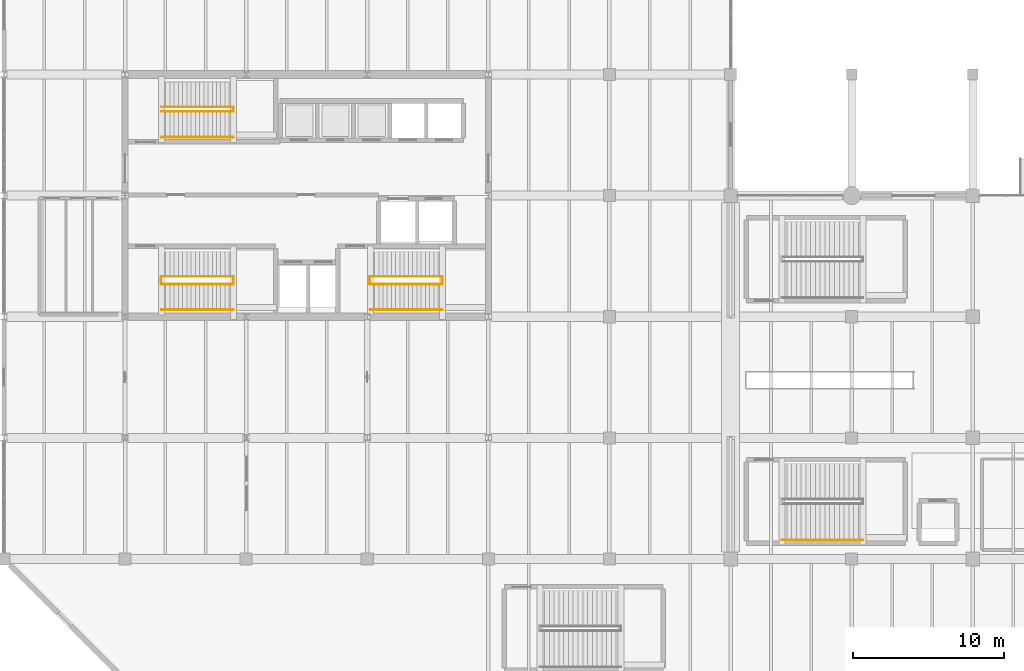
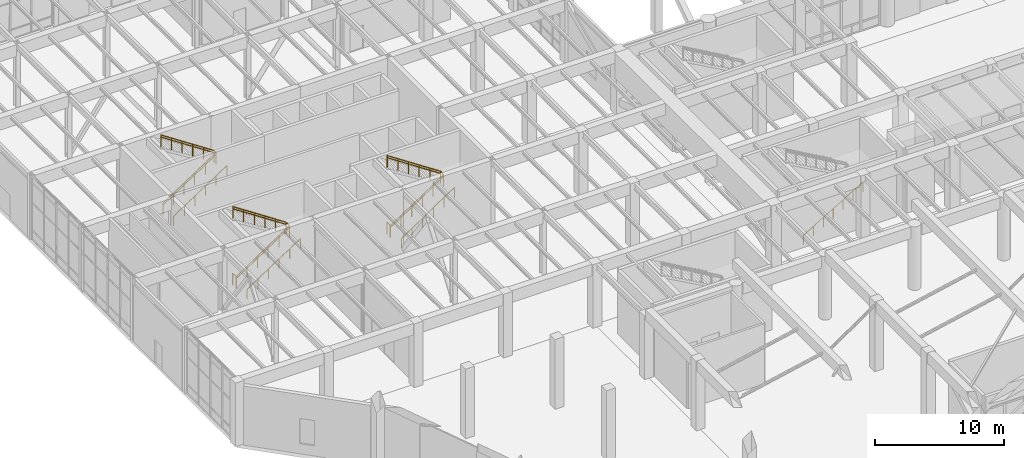
# One storey, part 44 of 51: 18 railings.
"""IFC4 building model written with IfcOpenShell, lengths in metres."""

import ifcopenshell
import ifcopenshell.guid

model = None  # the IFC model being written
_history = None  # IfcOwnerHistory: only IFC2X3 demands one
_inside = {}  # id of a spatial element -> (the spatial element, [elements in it])
_under = {}  # id of a project, library or spatial element -> (it, [spatial elements below it])
_declared = {}  # id of a project -> (the project, [libraries it declares])
_typed = {}  # id of a type object -> (the type object, [elements of that type])
_made_of = {}  # id of a material, layer set ... -> (it, [elements and type objects made of it])


def new_model(schema):
    """Start an empty IFC model of exactly this schema.

    Asked for "IFC4X3", IfcOpenShell would pick the latest addendum, in which some entities
    have other attributes; the version numbers below select the first issue.
    IFC2X3 requires an IfcOwnerHistory on every rooted entity: one is made here for all.
    """
    global model, _history
    if schema == "IFC4X3":
        model = ifcopenshell.file(schema_version=(4, 3, 0, 0))
    else:
        model = ifcopenshell.file(schema=schema)
    _inside.clear()
    _under.clear()
    _declared.clear()
    _typed.clear()
    _made_of.clear()
    _history = None
    if model.schema == "IFC2X3":
        org = make("IfcOrganization", Name="unknown")
        user = make(
            "IfcPersonAndOrganization",
            ThePerson=make("IfcPerson", FamilyName="unknown"),
            TheOrganization=org,
        )
        app = make(
            "IfcApplication",
            ApplicationDeveloper=org,
            Version="unknown",
            ApplicationFullName="unknown",
            ApplicationIdentifier="unknown",
        )
        _history = make(
            "IfcOwnerHistory",
            OwningUser=user,
            OwningApplication=app,
            ChangeAction="ADDED",
            CreationDate=0,
        )
    return model


def make(cls, **values):
    """One entity of the class cls with the attributes given. An attribute that is None is left unset."""
    return model.create_entity(
        cls, **{name: value for name, value in values.items() if value is not None}
    )


def rooted(cls, **values):
    """An entity with a GlobalId (a new one), such as an element, a storey or a relation."""
    return make(cls, GlobalId=ifcopenshell.guid.new(), OwnerHistory=_history, **values)


def si_unit(unit_type, name, prefix=None):
    """IfcSIUnit, for example si_unit("LENGTHUNIT", "METRE", prefix="MILLI")."""
    return make("IfcSIUnit", UnitType=unit_type, Prefix=prefix, Name=name)


def assignment(units):
    """IfcUnitAssignment: the units of a project."""
    return None if units is None else make("IfcUnitAssignment", Units=units)


def point(xyz):
    """IfcCartesianPoint."""
    return None if xyz is None else make("IfcCartesianPoint", Coordinates=xyz)


def direction(xyz):
    """IfcDirection."""
    return None if xyz is None else make("IfcDirection", DirectionRatios=xyz)


def frame(location, z_axis=None, x_axis=None):
    """IfcAxis2Placement3D, a coordinate frame: its origin and axes. An axis left out is left unset."""
    return make(
        "IfcAxis2Placement3D",
        Location=point(location),
        Axis=direction(z_axis),
        RefDirection=direction(x_axis),
    )


def frame_2d(location, x_axis=None):
    """IfcAxis2Placement2D, a coordinate frame in the plane: its origin and x axis."""
    return make(
        "IfcAxis2Placement2D", Location=point(location), RefDirection=direction(x_axis)
    )


def origin():
    """The frame at (0, 0, 0) with its axes left unset."""
    return frame((0.0, 0.0, 0.0))


def origin_2d():
    """The frame at (0, 0) in the plane with its x axis left unset."""
    return frame_2d((0.0, 0.0))


def place(relative_to, where):
    """IfcLocalPlacement: puts the frame where relative to a parent placement (None: the world)."""
    return make(
        "IfcLocalPlacement", PlacementRelTo=relative_to, RelativePlacement=where
    )


def context(
    kind, dimensions, precision=None, world=None, true_north=None, identifier=None
):
    """IfcGeometricRepresentationContext, for example the 3D "Model" context."""
    return make(
        "IfcGeometricRepresentationContext",
        ContextIdentifier=identifier,
        ContextType=kind,
        CoordinateSpaceDimension=dimensions,
        Precision=precision,
        WorldCoordinateSystem=world,
        TrueNorth=true_north,
    )


def subcontext(parent, identifier, kind, view, scale=None):
    """IfcGeometricRepresentationSubContext, for example "Body" below "Model"."""
    return make(
        "IfcGeometricRepresentationSubContext",
        ContextIdentifier=identifier,
        ContextType=kind,
        ParentContext=parent,
        TargetScale=scale,
        TargetView=view,
    )


def project(units=None, contexts=None):
    """IfcProject with its units and contexts."""
    return rooted(
        "IfcProject",
        Name="project",
        RepresentationContexts=contexts,
        UnitsInContext=assignment(units),
    )


def spatial(cls, under=None, at=None, **own):
    """A site, building, storey or space (cls), placed at a placement, below another one or the project."""
    s = rooted(cls, ObjectPlacement=at, **own)
    if under is not None:
        _under.setdefault(under.id(), (under, []))[1].append(s)
    return s


def profile(cls, at=None, kind="AREA", **sizes):
    """A parametric profile (cls). Its sizes go by their IFC names, for example OverallWidth=200.0."""
    return make(cls, ProfileType=kind, Position=at, **sizes)


def circle(**sizes):
    """IfcCircleProfileDef."""
    return profile("IfcCircleProfileDef", **sizes)


def extrude(swept, where, along, depth):
    """IfcExtrudedAreaSolid: the profile swept, set in the frame where, extruded along a direction by depth."""
    return make(
        "IfcExtrudedAreaSolid",
        SweptArea=swept,
        Position=where,
        ExtrudedDirection=direction(along),
        Depth=depth,
    )


def shape(context_of_items, identifier, shape_type, items):
    """IfcShapeRepresentation: the items that make up one representation, for example the "Body"."""
    return make(
        "IfcShapeRepresentation",
        ContextOfItems=context_of_items,
        RepresentationIdentifier=identifier,
        RepresentationType=shape_type,
        Items=items,
    )


def material(Name=None, Category=None):
    """IfcMaterial."""
    return make("IfcMaterial", Name=Name, Category=Category)


def made_of(thing, what):
    """Note that an element or type object is made of a material, layer set ...; save() writes the relation."""
    if what is not None:
        _made_of.setdefault(what.id(), (what, []))[1].append(thing)
    return thing


def type_object(cls, material=None, **own):
    """A type object (cls), such as IfcWallType, which elements share."""
    return made_of(rooted(cls, **own), material)


def element(
    cls,
    number,
    at=None,
    inside=None,
    cuts=None,
    type_object=None,
    material=None,
    context=None,
    identifier="Body",
    shape_type=None,
    held_by="IfcProductDefinitionShape",
    body=None,
    shapes=None,
    **own,
):
    """One element of the class cls, such as IfcWall. Its Tag is "e" and its number.

    at: its placement. inside: the storey or other place that contains it. cuts: it is an
    opening in that element (IfcRelVoidsElement). A single representation is given by context,
    identifier, shape_type and body (its items); several are given by shapes. held_by: the class
    of the entity that holds the representations. save() writes the other relations.
    """
    e = rooted(cls, Tag="e%d" % number, ObjectPlacement=at, **own)
    if body is not None:
        shapes = [shape(context, identifier, shape_type, body)]
    if shapes is not None:
        e.Representation = make(held_by, Representations=shapes)
    if inside is not None:
        _inside.setdefault(inside.id(), (inside, []))[1].append(e)
    if cuts is not None:
        rooted(
            "IfcRelVoidsElement", RelatingBuildingElement=cuts, RelatedOpeningElement=e
        )
    if type_object is not None:
        _typed.setdefault(type_object.id(), (type_object, []))[1].append(e)
    return made_of(e, material)


def aggregate(whole, parts):
    """IfcRelAggregates: a whole, such as a stair, and the parts it consists of."""
    return rooted("IfcRelAggregates", RelatingObject=whole, RelatedObjects=parts)


def save(model, path):
    """Write the relations noted so far, then the file.

    IfcRelAggregates (storeys below a building ...), IfcRelContainedInSpatialStructure (elements
    in a storey), IfcRelDefinesByType, IfcRelAssociatesMaterial and IfcRelDeclares: one each for
    every whole, place, type object, material and project.
    """
    for whole, parts in _under.values():
        aggregate(whole, parts)
    for where, things in _inside.values():
        rooted(
            "IfcRelContainedInSpatialStructure",
            RelatedElements=things,
            RelatingStructure=where,
        )
    for kind, things in _typed.values():
        rooted("IfcRelDefinesByType", RelatedObjects=things, RelatingType=kind)
    for what, things in _made_of.values():
        rooted("IfcRelAssociatesMaterial", RelatedObjects=things, RelatingMaterial=what)
    for by, libraries in _declared.values():
        rooted("IfcRelDeclares", RelatingContext=by, RelatedDefinitions=libraries)
    model.write(path)


model = new_model("IFC4")

# Units and contexts
model_context = context("Model", 3, precision=1e-05, world=origin(), true_north=direction((0.0, 1.0)))
body_context = subcontext(model_context, "Body", "Model", "MODEL_VIEW")
ifc_project = project(units=[si_unit("LENGTHUNIT", "METRE"), si_unit("AREAUNIT", "SQUARE_METRE"), si_unit("VOLUMEUNIT", "CUBIC_METRE"), si_unit("PLANEANGLEUNIT", "RADIAN"), si_unit("MASSUNIT", "GRAM", prefix="KILO")], contexts=[model_context])

# Site, building, storey
site_placement = place(None, origin())
site = spatial("IfcSite", under=ifc_project, at=site_placement, CompositionType="ELEMENT")
building_placement = place(site_placement, origin())
building = spatial("IfcBuilding", under=site, at=building_placement, Name="Varnela Railside Interchange", CompositionType="ELEMENT")
storey_placement = place(building_placement, origin())
storey = spatial("IfcBuildingStorey", under=building, at=storey_placement, Name="L00", CompositionType="ELEMENT", Elevation=0.0)

# Railings
ifc_material = material(Name="Steel AR 350 (350 MPa)", Category="steel")
railing_type_1 = type_object("IfcRailingType", Name="Stair & Ramp Pitch Handrail HR-01", PredefinedType="HANDRAIL", material=ifc_material)
railing_1_placement = place(storey_placement, frame((14.39990234375, 56.14990234375, 0.0)))
element("IfcRailing", 1, at=railing_1_placement, inside=storey, type_object=railing_type_1, Name="Stair Handrail ST-T1 Flight 1 (RL-0234)", PredefinedType="HANDRAIL", context=body_context, shape_type="SweptSolid", body=[
    extrude(circle(Radius=0.02392578125, at=origin_2d()), frame((0.0, 0.0, 0.89599609375), z_axis=(0.833940600646, 0.0, 0.551854214983), x_axis=(0.0, 1.0, 0.0)), (0.0, 0.0, 1.0), 5.707763671875),
    extrude(circle(Radius=0.02099609375, at=origin_2d()), origin(), (0.0, 0.0, 1.0), 0.871826171875),
    extrude(circle(Radius=0.02099609375, at=origin_2d()), frame((0.951904296875, 0.0, 0.6298828125)), (0.0, 0.0, 1.0), 0.871826171875),
    extrude(circle(Radius=0.02099609375, at=origin_2d()), frame((1.904052734375, 0.0, 1.260009765625)), (0.0, 0.0, 1.0), 0.871826171875),
    extrude(circle(Radius=0.02099609375, at=origin_2d()), frame((2.85595703125, 0.0, 1.889892578125)), (0.0, 0.0, 1.0), 0.871826171875),
    extrude(circle(Radius=0.02099609375, at=origin_2d()), frame((3.80810546875, 0.0, 2.52001953125)), (0.0, 0.0, 1.0), 0.871826171875),
    extrude(circle(Radius=0.02099609375, at=origin_2d()), frame((4.760009765625, 0.0, 3.14990234375)), (0.0, 0.0, 1.0), 0.871826171875),
])
railing_2_placement = place(storey_placement, frame((19.159912109375, 56.64990234375, 3.14990234375)))
element("IfcRailing", 2, at=railing_2_placement, inside=storey, type_object=railing_type_1, Name="Stair Handrail ST-T1 Flight 2 (RL-0235)", PredefinedType="HANDRAIL", context=body_context, shape_type="SweptSolid", body=[
    extrude(circle(Radius=0.02392578125, at=origin_2d()), frame((0.0, 0.0, 0.89599609375), z_axis=(-0.83392091597, 0.0, 0.551883960546), x_axis=(0.0, -1.0, 0.0)), (0.0, 0.0, 1.0), 5.7080078125),
    extrude(circle(Radius=0.02099609375, at=origin_2d()), origin(), (0.0, 0.0, 1.0), 0.871826171875),
    extrude(circle(Radius=0.02099609375, at=origin_2d()), frame((-0.951904296875, 0.0, 0.630126953125)), (0.0, 0.0, 1.0), 0.871826171875),
    extrude(circle(Radius=0.02099609375, at=origin_2d()), frame((-1.904052734375, 0.0, 1.260009765625)), (0.0, 0.0, 1.0), 0.871826171875),
    extrude(circle(Radius=0.02099609375, at=origin_2d()), frame((-2.85595703125, 0.0, 1.89013671875)), (0.0, 0.0, 1.0), 0.871826171875),
    extrude(circle(Radius=0.02099609375, at=origin_2d()), frame((-3.80810546875, 0.0, 2.52001953125)), (0.0, 0.0, 1.0), 0.871826171875),
    extrude(circle(Radius=0.02099609375, at=origin_2d()), frame((-4.760009765625, 0.0, 3.150146484375)), (0.0, 0.0, 1.0), 0.871826171875),
])
railing_3_placement = place(storey_placement, frame((28.199951171875, 56.14990234375, 0.0)))
element("IfcRailing", 3, at=railing_3_placement, inside=storey, type_object=railing_type_1, Name="Stair Handrail ST-T2 Flight 1 (RL-0236)", PredefinedType="HANDRAIL", context=body_context, shape_type="SweptSolid", body=[
    extrude(circle(Radius=0.02392578125, at=origin_2d()), frame((0.0, 0.0, 0.89599609375), z_axis=(0.833940600646, 0.0, 0.551854214983), x_axis=(0.0, 1.0, 0.0)), (0.0, 0.0, 1.0), 5.707763671875),
    extrude(circle(Radius=0.02099609375, at=origin_2d()), origin(), (0.0, 0.0, 1.0), 0.871826171875),
    extrude(circle(Radius=0.02099609375, at=origin_2d()), frame((0.951904296875, 0.0, 0.6298828125)), (0.0, 0.0, 1.0), 0.871826171875),
    extrude(circle(Radius=0.02099609375, at=origin_2d()), frame((1.904052734375, 0.0, 1.260009765625)), (0.0, 0.0, 1.0), 0.871826171875),
    extrude(circle(Radius=0.02099609375, at=origin_2d()), frame((2.85595703125, 0.0, 1.889892578125)), (0.0, 0.0, 1.0), 0.871826171875),
    extrude(circle(Radius=0.02099609375, at=origin_2d()), frame((3.80810546875, 0.0, 2.52001953125)), (0.0, 0.0, 1.0), 0.871826171875),
    extrude(circle(Radius=0.02099609375, at=origin_2d()), frame((4.760009765625, 0.0, 3.14990234375)), (0.0, 0.0, 1.0), 0.871826171875),
])
railing_4_placement = place(storey_placement, frame((32.9599609375, 56.64990234375, 3.14990234375)))
element("IfcRailing", 4, at=railing_4_placement, inside=storey, type_object=railing_type_1, Name="Stair Handrail ST-T2 Flight 2 (RL-0237)", PredefinedType="HANDRAIL", context=body_context, shape_type="SweptSolid", body=[
    extrude(circle(Radius=0.02392578125, at=origin_2d()), frame((0.0, 0.0, 0.89599609375), z_axis=(-0.83392091597, 0.0, 0.551883960546), x_axis=(0.0, -1.0, 0.0)), (0.0, 0.0, 1.0), 5.7080078125),
    extrude(circle(Radius=0.02099609375, at=origin_2d()), origin(), (0.0, 0.0, 1.0), 0.871826171875),
    extrude(circle(Radius=0.02099609375, at=origin_2d()), frame((-0.951904296875, 0.0, 0.630126953125)), (0.0, 0.0, 1.0), 0.871826171875),
    extrude(circle(Radius=0.02099609375, at=origin_2d()), frame((-1.904052734375, 0.0, 1.260009765625)), (0.0, 0.0, 1.0), 0.871826171875),
    extrude(circle(Radius=0.02099609375, at=origin_2d()), frame((-2.85595703125, 0.0, 1.89013671875)), (0.0, 0.0, 1.0), 0.871826171875),
    extrude(circle(Radius=0.02099609375, at=origin_2d()), frame((-3.80810546875, 0.0, 2.52001953125)), (0.0, 0.0, 1.0), 0.871826171875),
    extrude(circle(Radius=0.02099609375, at=origin_2d()), frame((-4.760009765625, 0.0, 3.150146484375)), (0.0, 0.0, 1.0), 0.871826171875),
])
railing_5_placement = place(storey_placement, frame((14.39990234375, 67.550048828125, 0.0)))
element("IfcRailing", 5, at=railing_5_placement, inside=storey, type_object=railing_type_1, Name="Stair Handrail ST-T3 Flight 1 (RL-0238)", PredefinedType="HANDRAIL", context=body_context, shape_type="SweptSolid", body=[
    extrude(circle(Radius=0.02392578125, at=origin_2d()), frame((0.0, 0.0, 0.89599609375), z_axis=(0.833940600646, 0.0, 0.551854214983), x_axis=(0.0, 1.0, 0.0)), (0.0, 0.0, 1.0), 5.707763671875),
    extrude(circle(Radius=0.02099609375, at=origin_2d()), origin(), (0.0, 0.0, 1.0), 0.871826171875),
    extrude(circle(Radius=0.02099609375, at=origin_2d()), frame((0.951904296875, 0.0, 0.6298828125)), (0.0, 0.0, 1.0), 0.871826171875),
    extrude(circle(Radius=0.02099609375, at=origin_2d()), frame((1.904052734375, 0.0, 1.260009765625)), (0.0, 0.0, 1.0), 0.871826171875),
    extrude(circle(Radius=0.02099609375, at=origin_2d()), frame((2.85595703125, 0.0, 1.889892578125)), (0.0, 0.0, 1.0), 0.871826171875),
    extrude(circle(Radius=0.02099609375, at=origin_2d()), frame((3.80810546875, 0.0, 2.52001953125)), (0.0, 0.0, 1.0), 0.871826171875),
    extrude(circle(Radius=0.02099609375, at=origin_2d()), frame((4.760009765625, 0.0, 3.14990234375)), (0.0, 0.0, 1.0), 0.871826171875),
])
railing_6_placement = place(storey_placement, frame((19.159912109375, 67.85009765625, 3.14990234375)))
element("IfcRailing", 6, at=railing_6_placement, inside=storey, type_object=railing_type_1, Name="Stair Handrail ST-T3 Flight 2 (RL-0239)", PredefinedType="HANDRAIL", context=body_context, shape_type="SweptSolid", body=[
    extrude(circle(Radius=0.02392578125, at=origin_2d()), frame((0.0, 0.0, 0.89599609375), z_axis=(-0.83392091597, 0.0, 0.551883960546), x_axis=(0.0, -1.0, 0.0)), (0.0, 0.0, 1.0), 5.7080078125),
    extrude(circle(Radius=0.02099609375, at=origin_2d()), origin(), (0.0, 0.0, 1.0), 0.871826171875),
    extrude(circle(Radius=0.02099609375, at=origin_2d()), frame((-0.951904296875, 0.0, 0.630126953125)), (0.0, 0.0, 1.0), 0.871826171875),
    extrude(circle(Radius=0.02099609375, at=origin_2d()), frame((-1.904052734375, 0.0, 1.260009765625)), (0.0, 0.0, 1.0), 0.871826171875),
    extrude(circle(Radius=0.02099609375, at=origin_2d()), frame((-2.85595703125, 0.0, 1.89013671875)), (0.0, 0.0, 1.0), 0.871826171875),
    extrude(circle(Radius=0.02099609375, at=origin_2d()), frame((-3.80810546875, 0.0, 2.52001953125)), (0.0, 0.0, 1.0), 0.871826171875),
    extrude(circle(Radius=0.02099609375, at=origin_2d()), frame((-4.760009765625, 0.0, 3.150146484375)), (0.0, 0.0, 1.0), 0.871826171875),
])
railing_type_2 = type_object("IfcRailingType", Name="Stair Well & Landing Guard GR-02", PredefinedType="GUARDRAIL", material=ifc_material)
railing_7_placement = place(storey_placement, frame((14.3701171875, 56.14990234375, 0.0)))
element("IfcRailing", 7, at=railing_7_placement, inside=storey, type_object=railing_type_2, Name="Stair Well Slot Guard ST-T1 on L00 (RL-0204)", PredefinedType="GUARDRAIL", context=body_context, shape_type="SweptSolid", body=[
    extrude(circle(Radius=0.02392578125, at=origin_2d()), frame((0.0, 0.0, 1.09619140625), z_axis=(0.0, 1.0, 0.0), x_axis=(-1.0, 0.0, 0.0)), (0.0, 0.0, 1.0), 0.5),
    extrude(circle(Radius=0.02099609375, at=origin_2d()), origin(), (0.0, 0.0, 1.0), 1.072021484375),
    extrude(circle(Radius=0.02099609375, at=origin_2d()), frame((0.0, 0.5, 0.0)), (0.0, 0.0, 1.0), 1.072021484375),
])
railing_8_placement = place(storey_placement, frame((14.39990234375, 56.14990234375, 0.0)))
element("IfcRailing", 8, at=railing_8_placement, inside=storey, type_object=railing_type_2, Name="Stair Guard ST-T1 Half-Landing (RL-0202)", PredefinedType="GUARDRAIL", context=body_context, shape_type="SweptSolid", body=[
    extrude(circle(Radius=0.02392578125, at=origin_2d()), frame((0.0, 0.0, 1.09619140625), z_axis=(0.833940600646, 0.0, 0.551854214983), x_axis=(0.0, 1.0, 0.0)), (0.0, 0.0, 1.0), 5.707763671875),
    extrude(circle(Radius=0.02392578125, at=origin_2d()), frame((4.760009765625, 0.0, 4.24609375), z_axis=(0.0, 1.0, 0.0), x_axis=(-1.0, 0.0, 0.0)), (0.0, 0.0, 1.0), 0.5),
    extrude(circle(Radius=0.02099609375, at=origin_2d()), origin(), (0.0, 0.0, 1.0), 1.072021484375),
    extrude(circle(Radius=0.02099609375, at=origin_2d()), frame((0.951904296875, 0.0, 0.6298828125)), (0.0, 0.0, 1.0), 1.072021484375),
    extrude(circle(Radius=0.02099609375, at=origin_2d()), frame((1.904052734375, 0.0, 1.260009765625)), (0.0, 0.0, 1.0), 1.072021484375),
    extrude(circle(Radius=0.02099609375, at=origin_2d()), frame((2.85595703125, 0.0, 1.889892578125)), (0.0, 0.0, 1.0), 1.072021484375),
    extrude(circle(Radius=0.02099609375, at=origin_2d()), frame((3.80810546875, 0.0, 2.52001953125)), (0.0, 0.0, 1.0), 1.072021484375),
    extrude(circle(Radius=0.02099609375, at=origin_2d()), frame((4.760009765625, 0.0, 3.14990234375)), (0.0, 0.0, 1.0), 1.072021484375),
    extrude(circle(Radius=0.02099609375, at=origin_2d()), frame((4.760009765625, 0.5, 3.14990234375)), (0.0, 0.0, 1.0), 1.072021484375),
])
railing_9_placement = place(storey_placement, frame((19.159912109375, 56.64990234375, 3.14990234375)))
element("IfcRailing", 9, at=railing_9_placement, inside=storey, type_object=railing_type_2, Name="Stair Guard ST-T1 Upper Flight (RL-0203)", PredefinedType="GUARDRAIL", context=body_context, shape_type="SweptSolid", body=[
    extrude(circle(Radius=0.02392578125, at=origin_2d()), frame((0.0, 0.0, 1.09619140625), z_axis=(-0.83392091597, 0.0, 0.551883960546), x_axis=(0.0, -1.0, 0.0)), (0.0, 0.0, 1.0), 5.7080078125),
    extrude(circle(Radius=0.02099609375, at=origin_2d()), origin(), (0.0, 0.0, 1.0), 1.072021484375),
    extrude(circle(Radius=0.02099609375, at=origin_2d()), frame((-0.951904296875, 0.0, 0.630126953125)), (0.0, 0.0, 1.0), 1.072021484375),
    extrude(circle(Radius=0.02099609375, at=origin_2d()), frame((-1.904052734375, 0.0, 1.260009765625)), (0.0, 0.0, 1.0), 1.072021484375),
    extrude(circle(Radius=0.02099609375, at=origin_2d()), frame((-2.85595703125, 0.0, 1.89013671875)), (0.0, 0.0, 1.0), 1.072021484375),
    extrude(circle(Radius=0.02099609375, at=origin_2d()), frame((-3.80810546875, 0.0, 2.52001953125)), (0.0, 0.0, 1.0), 1.072021484375),
    extrude(circle(Radius=0.02099609375, at=origin_2d()), frame((-4.760009765625, 0.0, 3.150146484375)), (0.0, 0.0, 1.0), 1.072021484375),
])
railing_10_placement = place(storey_placement, frame((28.169921875, 56.14990234375, 0.0)))
element("IfcRailing", 10, at=railing_10_placement, inside=storey, type_object=railing_type_2, Name="Stair Well Slot Guard ST-T2 on L00 (RL-0207)", PredefinedType="GUARDRAIL", context=body_context, shape_type="SweptSolid", body=[
    extrude(circle(Radius=0.02392578125, at=origin_2d()), frame((0.0, 0.0, 1.09619140625), z_axis=(0.0, 1.0, 0.0), x_axis=(-1.0, 0.0, 0.0)), (0.0, 0.0, 1.0), 0.5),
    extrude(circle(Radius=0.02099609375, at=origin_2d()), origin(), (0.0, 0.0, 1.0), 1.072021484375),
    extrude(circle(Radius=0.02099609375, at=origin_2d()), frame((0.0, 0.5, 0.0)), (0.0, 0.0, 1.0), 1.072021484375),
])
railing_11_placement = place(storey_placement, frame((28.199951171875, 56.14990234375, 0.0)))
element("IfcRailing", 11, at=railing_11_placement, inside=storey, type_object=railing_type_2, Name="Stair Guard ST-T2 Half-Landing (RL-0205)", PredefinedType="GUARDRAIL", context=body_context, shape_type="SweptSolid", body=[
    extrude(circle(Radius=0.02392578125, at=origin_2d()), frame((0.0, 0.0, 1.09619140625), z_axis=(0.833940600646, 0.0, 0.551854214983), x_axis=(0.0, 1.0, 0.0)), (0.0, 0.0, 1.0), 5.707763671875),
    extrude(circle(Radius=0.02392578125, at=origin_2d()), frame((4.760009765625, 0.0, 4.24609375), z_axis=(0.0, 1.0, 0.0), x_axis=(-1.0, 0.0, 0.0)), (0.0, 0.0, 1.0), 0.5),
    extrude(circle(Radius=0.02099609375, at=origin_2d()), origin(), (0.0, 0.0, 1.0), 1.072021484375),
    extrude(circle(Radius=0.02099609375, at=origin_2d()), frame((0.951904296875, 0.0, 0.6298828125)), (0.0, 0.0, 1.0), 1.072021484375),
    extrude(circle(Radius=0.02099609375, at=origin_2d()), frame((1.904052734375, 0.0, 1.260009765625)), (0.0, 0.0, 1.0), 1.072021484375),
    extrude(circle(Radius=0.02099609375, at=origin_2d()), frame((2.85595703125, 0.0, 1.889892578125)), (0.0, 0.0, 1.0), 1.072021484375),
    extrude(circle(Radius=0.02099609375, at=origin_2d()), frame((3.80810546875, 0.0, 2.52001953125)), (0.0, 0.0, 1.0), 1.072021484375),
    extrude(circle(Radius=0.02099609375, at=origin_2d()), frame((4.760009765625, 0.0, 3.14990234375)), (0.0, 0.0, 1.0), 1.072021484375),
    extrude(circle(Radius=0.02099609375, at=origin_2d()), frame((4.760009765625, 0.5, 3.14990234375)), (0.0, 0.0, 1.0), 1.072021484375),
])
railing_12_placement = place(storey_placement, frame((32.9599609375, 56.64990234375, 3.14990234375)))
element("IfcRailing", 12, at=railing_12_placement, inside=storey, type_object=railing_type_2, Name="Stair Guard ST-T2 Upper Flight (RL-0206)", PredefinedType="GUARDRAIL", context=body_context, shape_type="SweptSolid", body=[
    extrude(circle(Radius=0.02392578125, at=origin_2d()), frame((0.0, 0.0, 1.09619140625), z_axis=(-0.83392091597, 0.0, 0.551883960546), x_axis=(0.0, -1.0, 0.0)), (0.0, 0.0, 1.0), 5.7080078125),
    extrude(circle(Radius=0.02099609375, at=origin_2d()), origin(), (0.0, 0.0, 1.0), 1.072021484375),
    extrude(circle(Radius=0.02099609375, at=origin_2d()), frame((-0.951904296875, 0.0, 0.630126953125)), (0.0, 0.0, 1.0), 1.072021484375),
    extrude(circle(Radius=0.02099609375, at=origin_2d()), frame((-1.904052734375, 0.0, 1.260009765625)), (0.0, 0.0, 1.0), 1.072021484375),
    extrude(circle(Radius=0.02099609375, at=origin_2d()), frame((-2.85595703125, 0.0, 1.89013671875)), (0.0, 0.0, 1.0), 1.072021484375),
    extrude(circle(Radius=0.02099609375, at=origin_2d()), frame((-3.80810546875, 0.0, 2.52001953125)), (0.0, 0.0, 1.0), 1.072021484375),
    extrude(circle(Radius=0.02099609375, at=origin_2d()), frame((-4.760009765625, 0.0, 3.150146484375)), (0.0, 0.0, 1.0), 1.072021484375),
])
railing_13_placement = place(storey_placement, frame((14.39990234375, 67.550048828125, 0.0)))
element("IfcRailing", 13, at=railing_13_placement, inside=storey, type_object=railing_type_2, Name="Stair Guard ST-T3 Half-Landing (RL-0208)", PredefinedType="GUARDRAIL", context=body_context, shape_type="SweptSolid", body=[
    extrude(circle(Radius=0.02392578125, at=origin_2d()), frame((0.0, 0.0, 1.09619140625), z_axis=(0.833940600646, 0.0, 0.551854214983), x_axis=(0.0, 1.0, 0.0)), (0.0, 0.0, 1.0), 5.707763671875),
    extrude(circle(Radius=0.02392578125, at=origin_2d()), frame((4.760009765625, 0.0, 4.24609375), z_axis=(0.0, 1.0, 0.0), x_axis=(-1.0, 0.0, 0.0)), (0.0, 0.0, 1.0), 0.300048828125),
    extrude(circle(Radius=0.02099609375, at=origin_2d()), origin(), (0.0, 0.0, 1.0), 1.072021484375),
    extrude(circle(Radius=0.02099609375, at=origin_2d()), frame((0.951904296875, 0.0, 0.6298828125)), (0.0, 0.0, 1.0), 1.072021484375),
    extrude(circle(Radius=0.02099609375, at=origin_2d()), frame((1.904052734375, 0.0, 1.260009765625)), (0.0, 0.0, 1.0), 1.072021484375),
    extrude(circle(Radius=0.02099609375, at=origin_2d()), frame((2.85595703125, 0.0, 1.889892578125)), (0.0, 0.0, 1.0), 1.072021484375),
    extrude(circle(Radius=0.02099609375, at=origin_2d()), frame((3.80810546875, 0.0, 2.52001953125)), (0.0, 0.0, 1.0), 1.072021484375),
    extrude(circle(Radius=0.02099609375, at=origin_2d()), frame((4.760009765625, 0.0, 3.14990234375)), (0.0, 0.0, 1.0), 1.072021484375),
    extrude(circle(Radius=0.02099609375, at=origin_2d()), frame((4.760009765625, 0.300048828125, 3.14990234375)), (0.0, 0.0, 1.0), 1.072021484375),
])
railing_14_placement = place(storey_placement, frame((19.159912109375, 67.85009765625, 3.14990234375)))
element("IfcRailing", 14, at=railing_14_placement, inside=storey, type_object=railing_type_2, Name="Stair Guard ST-T3 Upper Flight (RL-0209)", PredefinedType="GUARDRAIL", context=body_context, shape_type="SweptSolid", body=[
    extrude(circle(Radius=0.02392578125, at=origin_2d()), frame((0.0, 0.0, 1.09619140625), z_axis=(-0.83392091597, 0.0, 0.551883960546), x_axis=(0.0, -1.0, 0.0)), (0.0, 0.0, 1.0), 5.7080078125),
    extrude(circle(Radius=0.02099609375, at=origin_2d()), origin(), (0.0, 0.0, 1.0), 1.072021484375),
    extrude(circle(Radius=0.02099609375, at=origin_2d()), frame((-0.951904296875, 0.0, 0.630126953125)), (0.0, 0.0, 1.0), 1.072021484375),
    extrude(circle(Radius=0.02099609375, at=origin_2d()), frame((-1.904052734375, 0.0, 1.260009765625)), (0.0, 0.0, 1.0), 1.072021484375),
    extrude(circle(Radius=0.02099609375, at=origin_2d()), frame((-2.85595703125, 0.0, 1.89013671875)), (0.0, 0.0, 1.0), 1.072021484375),
    extrude(circle(Radius=0.02099609375, at=origin_2d()), frame((-3.80810546875, 0.0, 2.52001953125)), (0.0, 0.0, 1.0), 1.072021484375),
    extrude(circle(Radius=0.02099609375, at=origin_2d()), frame((-4.760009765625, 0.0, 3.150146484375)), (0.0, 0.0, 1.0), 1.072021484375),
])
railing_type_3 = type_object("IfcRailingType", Name="Wall-Mounted Stair Handrail HR-02", PredefinedType="HANDRAIL", material=ifc_material)
for number, where, name in (
    (15, (14.39990234375, 54.4599609375, 0.0), "Wall Handrail ST-T1 Flight 1 (RL-0255)"),
    (16, (28.199951171875, 54.4599609375, 0.0), "Wall Handrail ST-T2 Flight 1 (RL-0256)"),
    (17, (14.39990234375, 65.860107421875, 0.0), "Wall Handrail ST-T3 Flight 1 (RL-0257)"),
):
    element("IfcRailing", number, at=place(storey_placement, frame(where)), inside=storey, type_object=railing_type_3, Name=name, PredefinedType="HANDRAIL", context=body_context, shape_type="SweptSolid", body=[
        extrude(circle(Radius=0.02392578125, at=origin_2d()), frame((0.0, 0.0, 0.89599609375), z_axis=(0.833940600646, 0.0, 0.551854214983), x_axis=(0.0, 1.0, 0.0)), (0.0, 0.0, 1.0), 5.707763671875),
        extrude(circle(Radius=0.02099609375, at=origin_2d()), origin(), (0.0, 0.0, 1.0), 0.871826171875),
        extrude(circle(Radius=0.02099609375, at=origin_2d()), frame((0.951904296875, 0.0, 0.6298828125)), (0.0, 0.0, 1.0), 0.871826171875),
        extrude(circle(Radius=0.02099609375, at=origin_2d()), frame((1.904052734375, 0.0, 1.260009765625)), (0.0, 0.0, 1.0), 0.871826171875),
        extrude(circle(Radius=0.02099609375, at=origin_2d()), frame((2.85595703125, 0.0, 1.889892578125)), (0.0, 0.0, 1.0), 0.871826171875),
        extrude(circle(Radius=0.02099609375, at=origin_2d()), frame((3.80810546875, 0.0, 2.52001953125)), (0.0, 0.0, 1.0), 0.871826171875),
        extrude(circle(Radius=0.02099609375, at=origin_2d()), frame((4.760009765625, 0.0, 3.14990234375)), (0.0, 0.0, 1.0), 0.871826171875),
    ])
railing_15_placement = place(storey_placement, frame((55.39990234375, 39.260009765625, 0.0)))
element("IfcRailing", 18, at=railing_15_placement, inside=storey, type_object=railing_type_3, Name="Wall Handrail ST-C1 Flight 1 (RL-0246)", PredefinedType="HANDRAIL", context=body_context, shape_type="SweptSolid", body=[
    extrude(circle(Radius=0.02392578125, at=origin_2d()), frame((0.0, 0.0, 0.89599609375), z_axis=(0.861940276329, 0.0, 0.507009822431), x_axis=(0.0, 1.0, 0.0)), (0.0, 0.0, 1.0), 6.212646484375),
    extrude(circle(Radius=0.02099609375, at=origin_2d()), origin(), (0.0, 0.0, 1.0), 0.871826171875),
    extrude(circle(Radius=0.02099609375, at=origin_2d()), frame((0.892578125, 0.0, 0.52490234375)), (0.0, 0.0, 1.0), 0.871826171875),
    extrude(circle(Radius=0.02099609375, at=origin_2d()), frame((1.784912109375, 0.0, 1.050048828125)), (0.0, 0.0, 1.0), 0.871826171875),
    extrude(circle(Radius=0.02099609375, at=origin_2d()), frame((2.677490234375, 0.0, 1.574951171875)), (0.0, 0.0, 1.0), 0.871826171875),
    extrude(circle(Radius=0.02099609375, at=origin_2d()), frame((3.570068359375, 0.0, 2.099853515625)), (0.0, 0.0, 1.0), 0.871826171875),
    extrude(circle(Radius=0.02099609375, at=origin_2d()), frame((4.46240234375, 0.0, 2.625)), (0.0, 0.0, 1.0), 0.871826171875),
    extrude(circle(Radius=0.02099609375, at=origin_2d()), frame((5.35498046875, 0.0, 3.14990234375)), (0.0, 0.0, 1.0), 0.871826171875),
])

save(model, "model.ifc")
